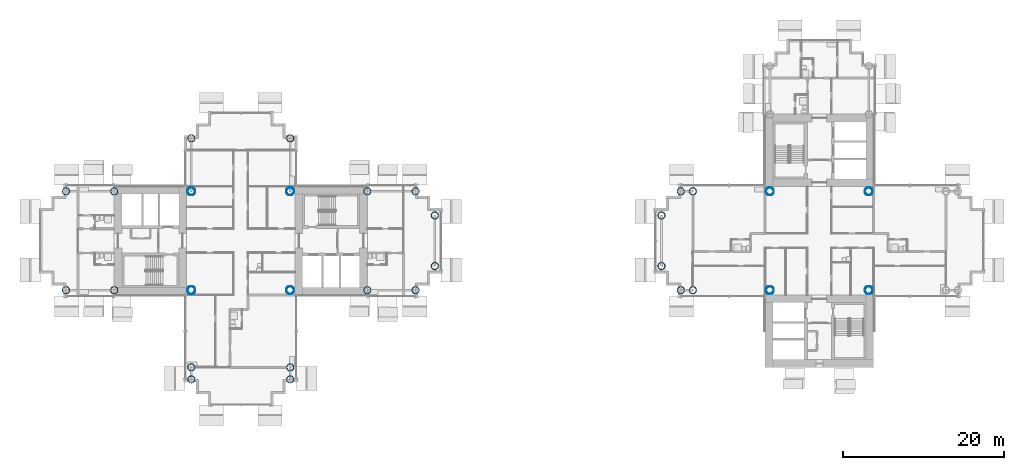
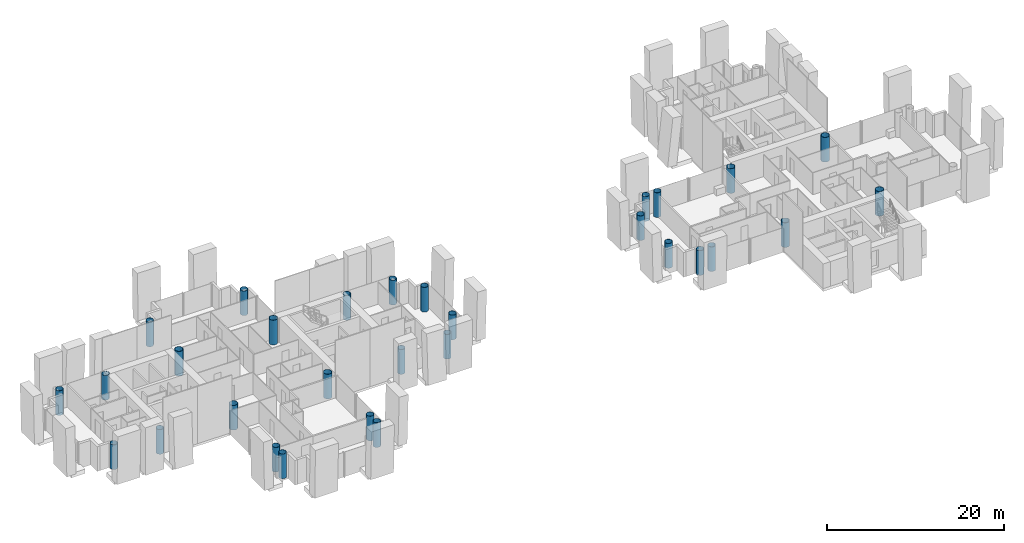
# One storey, part 1 of 20: 30 columns.
"""IFC4 building model written with IfcOpenShell, lengths in metres."""

from ifc_helpers import new_model, si_unit, direction, frame, origin, origin_2d, place, context, subcontext, project, spatial, hollow_circle, extrude, material, material_profile, profile_set, type_object, element, save


model = new_model("IFC4")

# Units and contexts
model_context = context("Model", 3, precision=1e-05, world=origin(), true_north=direction((0.0, 1.0)))
body_context = subcontext(model_context, "Body", "Model", "MODEL_VIEW")
ifc_project = project(units=[si_unit("LENGTHUNIT", "METRE"), si_unit("AREAUNIT", "SQUARE_METRE"), si_unit("VOLUMEUNIT", "CUBIC_METRE"), si_unit("PLANEANGLEUNIT", "RADIAN"), si_unit("MASSUNIT", "GRAM", prefix="KILO")], contexts=[model_context])

# Site, building, storey
site_placement = place(None, origin())
site = spatial("IfcSite", under=ifc_project, at=site_placement, CompositionType="ELEMENT")
building_placement = place(site_placement, origin())
building = spatial("IfcBuilding", under=site, at=building_placement, Name="Ipe Terrace Towers", CompositionType="ELEMENT")
storey_placement = place(building_placement, frame((0.0, 0.0, 120.800048828125)))
storey = spatial("IfcBuildingStorey", under=building, at=storey_placement, Name="L33", CompositionType="ELEMENT", Elevation=120.800048828125)

# Columns
ifc_material_1 = material(Name="Steel S355 tube with Concrete C60/75 fill", Category="concrete")
ifc_material_profile_1 = material_profile(ifc_material_1, hollow_circle(Radius=0.5, WallThickness=0.035888671875, at=origin_2d()), Name="CHS-1000x36")
ifc_profile_set_1 = profile_set([ifc_material_profile_1], Name="Steel S355 tube with Concrete C60/75 fill")
column_type_1 = type_object("IfcColumnType", Name="CH01 COLUMN CHS-1000x36", PredefinedType="COLUMN", material=ifc_profile_set_1)
for number, where, z_axis, x_axis, name in (
    (1, (-42.14990234375, -6.14990234375, 0.0), (0.0, 0.0, 1.0), (1.0, 0.0, 0.0), "Column T1-C-E01"),
    (2, (-29.85009765625, -6.14990234375, 0.0), (0.0, 0.0, 1.0), (1.0, 0.0, 0.0), "Column T1-C-E02"),
    (3, (-29.85009765625, 6.14990234375, 0.0), (0.0, 0.0, 1.0), (1.0, 0.0, 0.0), "Column T1-C-E03"),
    (4, (-42.14990234375, 6.14990234375, 0.0), (0.0, 0.0, 1.0), (1.0, 0.0, 0.0), "Column T1-C-E04"),
    (5, (42.14990234375, -6.14990234375, 0.0), (0.0, 0.0, 1.0), (1.0, 0.0, 0.0), "Column T2-C-E01"),
    (6, (42.14990234375, 6.14990234375, 0.0), (0.0, 0.0, 1.0), (1.0, 0.0, 0.0), "Column T2-C-E02"),
    (7, (29.85009765625, 6.14990234375, 0.0), (0.0, 0.0, 1.0), (1.0, 0.0, 0.0), "Column T2-C-E03"),
    (8, (29.85009765625, -6.14990234375, 0.0), (0.0, 0.0, 1.0), (1.0, 0.0, 0.0), "Column T2-C-E04"),
):
    element("IfcColumn", number, at=place(storey_placement, frame(where, z_axis=z_axis, x_axis=x_axis)), inside=storey, type_object=column_type_1, Name=name, PredefinedType="COLUMN", context=body_context, shape_type="SweptSolid", body=[
        extrude(hollow_circle(Radius=0.5, WallThickness=0.035888671875, at=origin_2d()), origin(), (0.0, 0.0, 1.0), 3.39990234375),
    ])
ifc_material_2 = material(Name="Steel S355 tube with Concrete C60/75 fill", Category="concrete")
ifc_material_profile_2 = material_profile(ifc_material_2, hollow_circle(Radius=0.449951171875, WallThickness=0.031982421875, at=origin_2d()), Name="CHS-900x32")
ifc_profile_set_2 = profile_set([ifc_material_profile_2], Name="Steel S355 tube with Concrete C60/75 fill")
column_type_2 = type_object("IfcColumnType", Name="CH10 COLUMN CHS-900x32", PredefinedType="COLUMN", material=ifc_profile_set_2)
for number, where, z_axis, x_axis, name in (
    (9, (-20.25, -6.14990234375, 0.0), (0.0, 0.0, 1.0), (1.0, 0.0, 0.0), "Column T1-C-A01"),
    (10, (-20.25, 6.14990234375, 0.0), (0.0, 0.0, 1.0), (1.0, 0.0, 0.0), "Column T1-C-A02"),
    (11, (-14.25, -6.14990234375, 0.0), (0.0, 0.0, 1.0), (1.0, 0.0, 0.0), "Column T1-C-A03"),
    (12, (-14.25, 6.14990234375, 0.0), (0.0, 0.0, 1.0), (1.0, 0.0, 0.0), "Column T1-C-A04"),
    (13, (-11.85009765625, -3.14990234375, 0.0), (0.0, 0.0, 1.0), (1.0, 0.0, 0.0), "Column T1-C-A05"),
    (14, (-11.85009765625, 3.14990234375, 0.0), (0.0, 0.0, 1.0), (1.0, 0.0, 0.0), "Column T1-C-A06"),
    (15, (-29.85009765625, 12.75, 0.0), (0.0, 0.0, 1.0), (1.0, 0.0, 0.0), "Column T1-C-B01"),
    (16, (-42.14990234375, 12.75, 0.0), (0.0, 0.0, 1.0), (1.0, 0.0, 0.0), "Column T1-C-B02"),
    (17, (-51.75, -6.14990234375, 0.0), (0.0, 0.0, 1.0), (1.0, 0.0, 0.0), "Column T1-C-C01"),
    (18, (-51.75, 6.14990234375, 0.0), (0.0, 0.0, 1.0), (1.0, 0.0, 0.0), "Column T1-C-C02"),
    (19, (-57.75, -6.14990234375, 0.0), (0.0, 0.0, 1.0), (1.0, 0.0, 0.0), "Column T1-C-C03"),
    (20, (-57.75, 6.14990234375, 0.0), (0.0, 0.0, 1.0), (1.0, 0.0, 0.0), "Column T1-C-C04"),
    (21, (-42.14990234375, -15.75, 0.0), (0.0, 0.0, 1.0), (1.0, 0.0, 0.0), "Column T1-C-D03"),
    (22, (-29.85009765625, -15.75, 0.0), (0.0, 0.0, 1.0), (1.0, 0.0, 0.0), "Column T1-C-D04"),
    (23, (-42.14990234375, -17.25, 0.0), (0.0, 0.0, 1.0), (1.0, 0.0, 0.0), "Column T1-C-D05"),
    (24, (-29.85009765625, -17.25, 0.0), (0.0, 0.0, 1.0), (1.0, 0.0, 0.0), "Column T1-C-D06"),
    (25, (20.25, 6.14990234375, 0.0), (0.0, 0.0, 1.0), (1.0, 0.0, 0.0), "Column T2-C-B03"),
    (26, (20.25, -6.14990234375, 0.0), (0.0, 0.0, 1.0), (1.0, 0.0, 0.0), "Column T2-C-B04"),
    (27, (18.75, 6.14990234375, 0.0), (0.0, 0.0, 1.0), (1.0, 0.0, 0.0), "Column T2-C-B05"),
    (28, (18.75, -6.14990234375, 0.0), (0.0, 0.0, 1.0), (1.0, 0.0, 0.0), "Column T2-C-B06"),
    (29, (16.35009765625, 3.14990234375, 0.0), (0.0, 0.0, 1.0), (1.0, 0.0, 0.0), "Column T2-C-B07"),
    (30, (16.35009765625, -3.14990234375, 0.0), (0.0, 0.0, 1.0), (1.0, 0.0, 0.0), "Column T2-C-B08"),
):
    element("IfcColumn", number, at=place(storey_placement, frame(where, z_axis=z_axis, x_axis=x_axis)), inside=storey, type_object=column_type_2, Name=name, PredefinedType="COLUMN", context=body_context, shape_type="SweptSolid", body=[
        extrude(hollow_circle(Radius=0.449951171875, WallThickness=0.031982421875, at=origin_2d()), origin(), (0.0, 0.0, 1.0), 3.39990234375),
    ])

save(model, "model.ifc")
